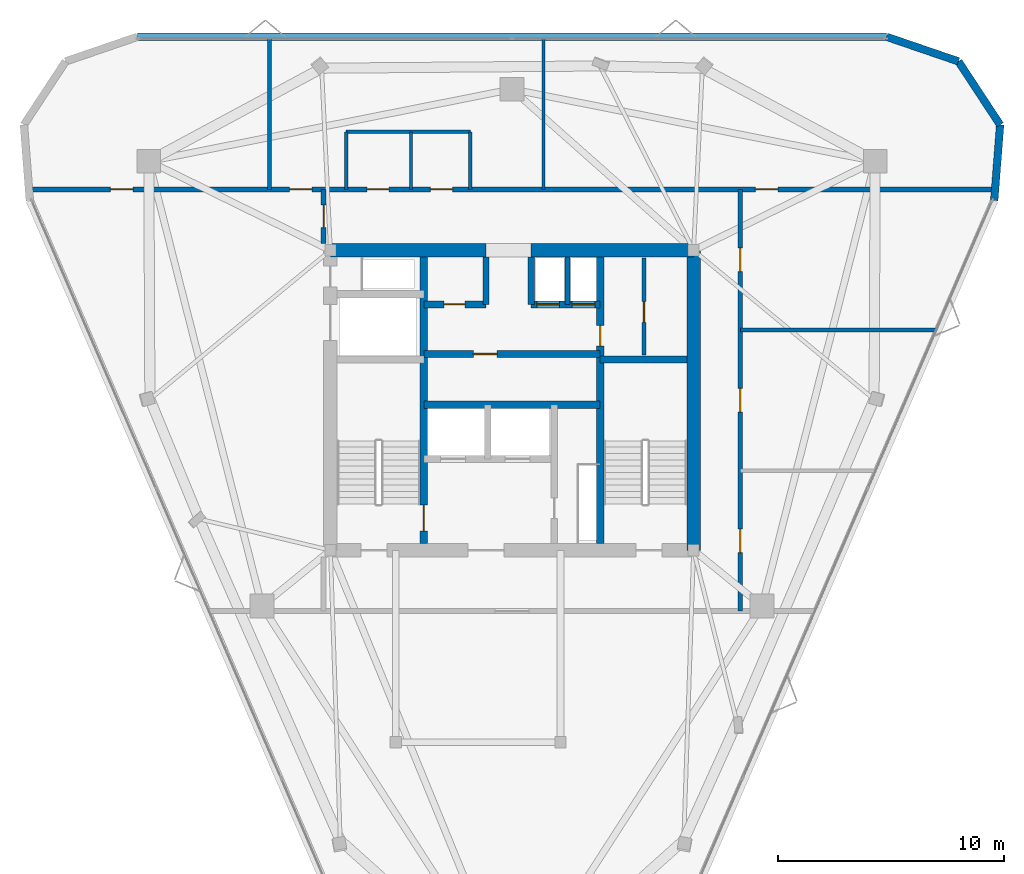
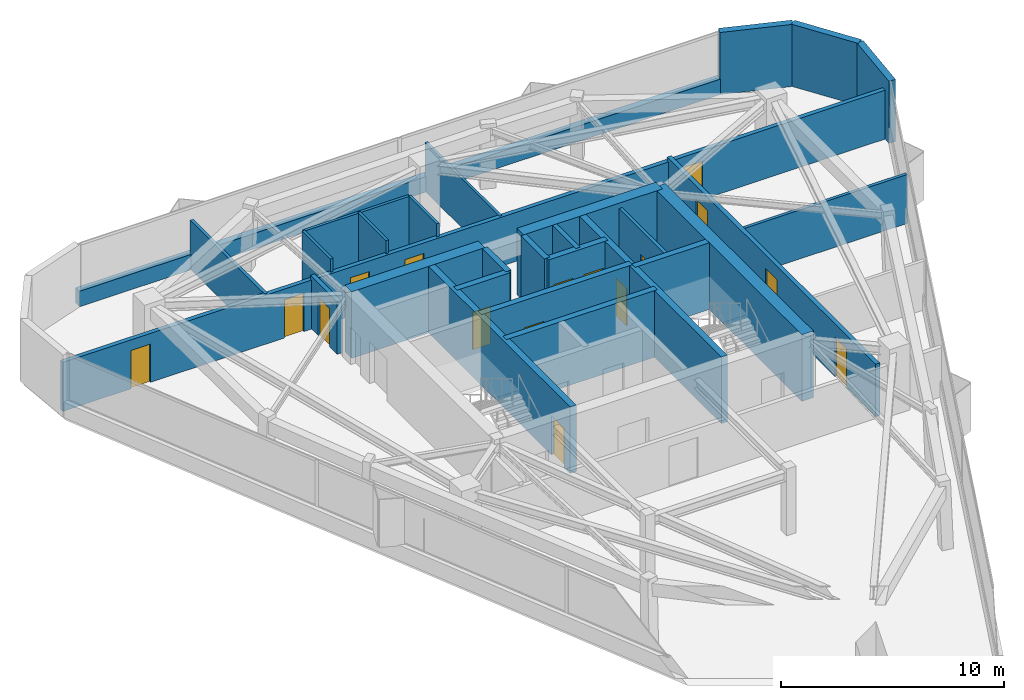
# One storey, part 8 of 10: 28 walls, 16 doors, 16 openings.
"""IFC4 building model written with IfcOpenShell, lengths in metres."""

from ifc_helpers import new_model, si_unit, direction, frame, frame_2d, origin, place, context, subcontext, project, spatial, rectangle, extrude, material, layer, layer_set, type_object, element, fill, save


model = new_model("IFC4")

# Units and contexts
model_context = context("Model", 3, precision=1e-05, world=origin(), true_north=direction((0.0, 1.0)))
body_context = subcontext(model_context, "Body", "Model", "MODEL_VIEW")
ifc_project = project(units=[si_unit("LENGTHUNIT", "METRE"), si_unit("AREAUNIT", "SQUARE_METRE"), si_unit("VOLUMEUNIT", "CUBIC_METRE"), si_unit("PLANEANGLEUNIT", "RADIAN"), si_unit("MASSUNIT", "GRAM", prefix="KILO")], contexts=[model_context])

# Site, building, storey
site_placement = place(None, origin())
site = spatial("IfcSite", under=ifc_project, at=site_placement, CompositionType="ELEMENT")
building_placement = place(site_placement, origin())
building = spatial("IfcBuilding", under=site, at=building_placement, Name="Talyreon Biosciences Tower", CompositionType="ELEMENT")
storey_placement = place(building_placement, frame((0.0, 0.0, 287.449951171875)))
storey = spatial("IfcBuildingStorey", under=building, at=storey_placement, Name="L76", CompositionType="ELEMENT", Elevation=287.449951171875)

# Walls
ifc_material_1 = material(Name="Concrete C50/60", Category="concrete")
ifc_layer_1 = layer(ifc_material_1, 0.219970703125)
ifc_layer_set_1 = layer_set([ifc_layer_1], Name="Concrete C50/60")
wall_type_1 = type_object("IfcWallType", Name="CoreShearWall_220", PredefinedType="SHEAR", material=ifc_layer_set_1)
wall_1_placement = place(storey_placement, frame((68.4599609375, 72.25, 0.0), z_axis=(0.0, 0.0, 1.0), x_axis=(0.0, 1.0, 0.0)))
element("IfcWall", 1, at=wall_1_placement, inside=storey, type_object=wall_type_1, Name="L76 Core Shaft Wall SWPHD", PredefinedType="SHEAR", context=body_context, shape_type="SweptSolid", body=[
    extrude(rectangle(XDim=2.10009765625, YDim=0.219970703125, at=frame_2d((1.050048828125, 0.0))), origin(), (0.0, 0.0, 1.0), 3.650146484375),
])
ifc_layer_2 = layer(ifc_material_1, 0.280029296875)
ifc_layer_set_2 = layer_set([ifc_layer_2], Name="Concrete C50/60")
wall_type_2 = type_object("IfcWallType", Name="CoreShearWall_280", PredefinedType="SHEAR", material=ifc_layer_set_2)
for number, where, z_axis, x_axis, name in (
    (2, (64.85009765625, 72.25, 0.0), (0.0, 0.0, 1.0), (0.0, 1.0, 0.0), "L76 Core Shaft Wall SWTHW"),
    (3, (66.85009765625, 72.25, 0.0), (0.0, 0.0, 1.0), (0.0, 1.0, 0.0), "L76 Core Shaft Wall SWTHE"),
):
    element("IfcWall", number, at=place(storey_placement, frame(where, z_axis=z_axis, x_axis=x_axis)), inside=storey, type_object=wall_type_2, Name=name, PredefinedType="SHEAR", context=body_context, shape_type="SweptSolid", body=[
        extrude(rectangle(XDim=2.10009765625, YDim=0.280029296875, at=frame_2d((1.050048828125, 0.0))), origin(), (0.0, 0.0, 1.0), 3.650146484375),
    ])

# Wall, opening, door
ifc_layer_3 = layer(ifc_material_1, 0.320068359375)
ifc_layer_set_3 = layer_set([ifc_layer_3], Name="Concrete C50/60")
wall_type_3 = type_object("IfcWallType", Name="CoreShearWall_320", PredefinedType="SHEAR", material=ifc_layer_set_3)
wall_2_placement = place(storey_placement, frame((62.090087890625, 61.64990234375, 0.0), z_axis=(0.0, 0.0, 1.0), x_axis=(0.0, 1.0, 0.0)))
wall_2 = element("IfcWall", 4, at=wall_2_placement, inside=storey, type_object=wall_type_3, Name="L76 Core Shaft Wall SW1E", PredefinedType="SHEAR", context=body_context, shape_type="SweptSolid", body=[
    extrude(rectangle(XDim=12.7001953125, YDim=0.320068359375, at=frame_2d((6.35009765625, 0.0))), origin(), (0.0, 0.0, 1.0), 3.650146484375),
])
opening_1_placement = place(wall_2_placement, frame((0.550048828125, 0.0, 0.0)))
opening_1 = element("IfcOpeningElement", 5, at=opening_1_placement, cuts=wall_2, Name="Opening DR-L76-FF-ST1", PredefinedType="OPENING", context=body_context, shape_type="SweptSolid", body=[
    extrude(rectangle(XDim=1.14990234375, YDim=2.14990234375, at=frame_2d((0.574951171875, 1.074951171875))), frame((0.0, 0.169921875, 0.0), z_axis=(0.0, -1.0, 0.0), x_axis=(1.0, 0.0, 0.0)), (0.0, 0.0, 1.0), 0.340087890625),
])
ifc_material_2 = material(Name="Painted steel fire door", Category="steel")
door_type_1 = type_object("IfcDoorType", Name="StairShaftFireDoor_1150x2150", OperationType="NOTDEFINED", PredefinedType="DOOR", material=ifc_material_2)
door_1_placement = place(opening_1_placement, origin())
door_1 = element("IfcDoor", 6, at=door_1_placement, inside=storey, type_object=door_type_1, Name="L76 Core Door DR-L76-FF-ST1", OperationType="SINGLE_SWING_LEFT", OverallHeight=2.14990234375, OverallWidth=1.14990234375, PredefinedType="DOOR", context=body_context, shape_type="SweptSolid", body=[
    extrude(rectangle(XDim=1.14990234375, YDim=2.14990234375, at=frame_2d((0.574951171875, 1.074951171875))), frame((0.0, 0.02490234375, 0.0), z_axis=(0.0, -1.0, 0.0), x_axis=(1.0, 0.0, 0.0)), (0.0, 0.0, 1.0), 0.050048828125),
])
fill(opening_1, door_1)

wall_3_placement = place(storey_placement, frame((69.909912109375, 61.64990234375, 0.0), z_axis=(0.0, 0.0, 1.0), x_axis=(0.0, 1.0, 0.0)))
wall_3 = element("IfcWall", 7, at=wall_3_placement, inside=storey, type_object=wall_type_3, Name="L76 Core Shaft Wall SW2W", PredefinedType="SHEAR", context=body_context, shape_type="SweptSolid", body=[
    extrude(rectangle(XDim=12.7001953125, YDim=0.320068359375, at=frame_2d((6.35009765625, 0.0))), origin(), (0.0, 0.0, 1.0), 3.650146484375),
])
opening_2_placement = place(wall_3_placement, frame((8.75, 0.0, 0.0)))
opening_2 = element("IfcOpeningElement", 8, at=opening_2_placement, cuts=wall_3, Name="Opening DR-L76-CSRV", PredefinedType="OPENING", context=body_context, shape_type="SweptSolid", body=[
    extrude(rectangle(XDim=0.919921875, YDim=2.050048828125, at=frame_2d((0.4599609375, 1.02490234375))), frame((0.0, 0.169921875, 0.0), z_axis=(0.0, -1.0, 0.0), x_axis=(1.0, 0.0, 0.0)), (0.0, 0.0, 1.0), 0.340087890625),
])
ifc_material_3 = material(Name="Painted steel fire-rated riser door", Category="steel")
door_type_2 = type_object("IfcDoorType", Name="RiserPlantAccessDoor_920x2050", OperationType="NOTDEFINED", PredefinedType="DOOR", material=ifc_material_3)
door_2_placement = place(opening_2_placement, origin())
door_2 = element("IfcDoor", 9, at=door_2_placement, inside=storey, type_object=door_type_2, Name="L76 Core Door DR-L76-CSRV", OperationType="SINGLE_SWING_RIGHT", OverallHeight=2.050048828125, OverallWidth=0.919921875, PredefinedType="DOOR", context=body_context, shape_type="SweptSolid", body=[
    extrude(rectangle(XDim=0.919921875, YDim=2.050048828125, at=frame_2d((0.4599609375, 1.02490234375))), frame((0.0, 0.02490234375, 0.0), z_axis=(0.0, -1.0, 0.0), x_axis=(1.0, 0.0, 0.0)), (0.0, 0.0, 1.0), 0.050048828125),
])
fill(opening_2, door_2)

# Walls
wall_4_placement = place(storey_placement, frame((69.909912109375, 69.81005859375, 0.0), z_axis=(0.0, 0.0, 1.0), x_axis=(1.0, 0.0, 0.0)))
element("IfcWall", 10, at=wall_4_placement, inside=storey, type_object=wall_type_3, Name="L76 Core Shaft Wall SW2N", PredefinedType="SHEAR", context=body_context, shape_type="SweptSolid", body=[
    extrude(rectangle(XDim=3.840087890625, YDim=0.320068359375, at=frame_2d((1.919921875, 0.0))), origin(), (0.0, 0.0, 1.0), 3.650146484375),
])
wall_5_placement = place(storey_placement, frame((62.090087890625, 67.800048828125, 0.0), z_axis=(0.0, 0.0, 1.0), x_axis=(1.0, 0.0, 0.0)))
element("IfcWall", 11, at=wall_5_placement, inside=storey, type_object=wall_type_3, Name="L76 Core Shaft Wall SWSHM", PredefinedType="SHEAR", context=body_context, shape_type="SweptSolid", body=[
    extrude(rectangle(XDim=7.81982421875, YDim=0.320068359375, at=frame_2d((3.909912109375, 0.0))), origin(), (0.0, 0.0, 1.0), 3.650146484375),
])

# Wall, opening, door
wall_6_placement = place(storey_placement, frame((62.090087890625, 70.050048828125, 0.0), z_axis=(0.0, 0.0, 1.0), x_axis=(1.0, 0.0, 0.0)))
wall_6 = element("IfcWall", 12, at=wall_6_placement, inside=storey, type_object=wall_type_3, Name="L76 Core Shaft Wall SWSPN", PredefinedType="SHEAR", context=body_context, shape_type="SweptSolid", body=[
    extrude(rectangle(XDim=7.81982421875, YDim=0.320068359375, at=frame_2d((3.909912109375, 0.0))), origin(), (0.0, 0.0, 1.0), 3.650146484375),
])
opening_3_placement = place(wall_6_placement, frame((2.199951171875, 0.0, 0.0)))
opening_3 = element("IfcOpeningElement", 13, at=opening_3_placement, cuts=wall_6, Name="Opening DR-L76-PLPMFREE", PredefinedType="OPENING", context=body_context, shape_type="SweptSolid", body=[
    extrude(rectangle(XDim=1.050048828125, YDim=2.14990234375, at=frame_2d((0.52490234375, 1.074951171875))), frame((0.0, 0.169921875, 0.0), z_axis=(0.0, -1.0, 0.0), x_axis=(1.0, 0.0, 0.0)), (0.0, 0.0, 1.0), 0.340087890625),
])
ifc_material_4 = material(Name="Acoustic timber-core laboratory door", Category="wood")
door_type_3 = type_object("IfcDoorType", Name="DryLabSingleDoor_1050x2150", OperationType="NOTDEFINED", PredefinedType="DOOR", material=ifc_material_4)
door_3_placement = place(opening_3_placement, origin())
door_3 = element("IfcDoor", 14, at=door_3_placement, inside=storey, type_object=door_type_3, Name="L76 Core Door DR-L76-PLPMFREE", OperationType="SINGLE_SWING_LEFT", OverallHeight=2.14990234375, OverallWidth=1.050048828125, PredefinedType="DOOR", context=body_context, shape_type="SweptSolid", body=[
    extrude(rectangle(XDim=1.050048828125, YDim=2.14990234375, at=frame_2d((0.52490234375, 1.074951171875))), frame((0.0, 0.02490234375, 0.0), z_axis=(0.0, -1.0, 0.0), x_axis=(1.0, 0.0, 0.0)), (0.0, 0.0, 1.0), 0.050048828125),
])
fill(opening_3, door_3)

wall_7_placement = place(storey_placement, frame((62.090087890625, 72.25, 0.0), z_axis=(0.0, 0.0, 1.0), x_axis=(1.0, 0.0, 0.0)))
wall_7 = element("IfcWall", 15, at=wall_7_placement, inside=storey, type_object=wall_type_3, Name="L76 Core Shaft Wall SWNPW", PredefinedType="SHEAR", context=body_context, shape_type="SweptSolid", body=[
    extrude(rectangle(XDim=2.760009765625, YDim=0.320068359375, at=frame_2d((1.3798828125, 0.0))), origin(), (0.0, 0.0, 1.0), 3.650146484375),
])
opening_4_placement = place(wall_7_placement, frame((0.89990234375, 0.0, 0.0)))
opening_4 = element("IfcOpeningElement", 16, at=opening_4_placement, cuts=wall_7, Name="Opening DR-L76-PM2FREE", PredefinedType="OPENING", context=body_context, shape_type="SweptSolid", body=[
    extrude(rectangle(XDim=0.919921875, YDim=2.050048828125, at=frame_2d((0.4599609375, 1.02490234375))), frame((0.0, 0.169921875, 0.0), z_axis=(0.0, -1.0, 0.0), x_axis=(1.0, 0.0, 0.0)), (0.0, 0.0, 1.0), 0.340087890625),
])
door_4_placement = place(opening_4_placement, origin())
door_4 = element("IfcDoor", 17, at=door_4_placement, inside=storey, type_object=door_type_2, Name="L76 Core Door DR-L76-PM2FREE", OperationType="SINGLE_SWING_RIGHT", OverallHeight=2.050048828125, OverallWidth=0.919921875, PredefinedType="DOOR", context=body_context, shape_type="SweptSolid", body=[
    extrude(rectangle(XDim=0.919921875, YDim=2.050048828125, at=frame_2d((0.4599609375, 1.02490234375))), frame((0.0, 0.02490234375, 0.0), z_axis=(0.0, -1.0, 0.0), x_axis=(1.0, 0.0, 0.0)), (0.0, 0.0, 1.0), 0.050048828125),
])
fill(opening_4, door_4)

# Wall, openings, doors
wall_8_placement = place(storey_placement, frame((66.85009765625, 72.25, 0.0), z_axis=(0.0, 0.0, 1.0), x_axis=(1.0, 0.0, 0.0)))
wall_8 = element("IfcWall", 18, at=wall_8_placement, inside=storey, type_object=wall_type_3, Name="L76 Core Shaft Wall SWNPE", PredefinedType="SHEAR", context=body_context, shape_type="SweptSolid", body=[
    extrude(rectangle(XDim=3.059814453125, YDim=0.320068359375, at=frame_2d((1.52978515625, 0.0))), origin(), (0.0, 0.0, 1.0), 3.650146484375),
])
opening_5_placement = place(wall_8_placement, frame((0.25, 0.0, 0.0)))
opening_5 = element("IfcOpeningElement", 19, at=opening_5_placement, cuts=wall_8, Name="Opening LD-L76-PH1", PredefinedType="OPENING", context=body_context, shape_type="SweptSolid", body=[
    extrude(rectangle(XDim=1.0, YDim=2.199951171875, at=frame_2d((0.5, 1.10009765625))), frame((0.0, 0.169921875, 0.0), z_axis=(0.0, -1.0, 0.0), x_axis=(1.0, 0.0, 0.0)), (0.0, 0.0, 1.0), 0.340087890625),
])
opening_6_placement = place(wall_8_placement, frame((1.820068359375, 0.0, 0.0)))
opening_6 = element("IfcOpeningElement", 20, at=opening_6_placement, cuts=wall_8, Name="Opening LD-L76-PH2", PredefinedType="OPENING", context=body_context, shape_type="SweptSolid", body=[
    extrude(rectangle(XDim=1.0, YDim=2.199951171875, at=frame_2d((0.5, 1.10009765625))), frame((0.0, 0.169921875, 0.0), z_axis=(0.0, -1.0, 0.0), x_axis=(1.0, 0.0, 0.0)), (0.0, 0.0, 1.0), 0.340087890625),
])
ifc_material_5 = material(Name="Brushed stainless-steel lift landing door", Category="steel")
door_type_4 = type_object("IfcDoorType", Name="LiftSlidingLandingDoor_1100x2200", OperationType="SLIDING_TO_LEFT", PredefinedType="DOOR", material=ifc_material_5)
door_5_placement = place(opening_5_placement, origin())
door_5 = element("IfcDoor", 21, at=door_5_placement, inside=storey, type_object=door_type_4, Name="L76 Core Door LD-L76-PH1", OperationType="SLIDING_TO_LEFT", OverallHeight=2.199951171875, OverallWidth=1.0, PredefinedType="DOOR", context=body_context, shape_type="SweptSolid", body=[
    extrude(rectangle(XDim=1.0, YDim=2.199951171875, at=frame_2d((0.5, 1.10009765625))), frame((0.0, 0.02490234375, 0.0), z_axis=(0.0, -1.0, 0.0), x_axis=(1.0, 0.0, 0.0)), (0.0, 0.0, 1.0), 0.050048828125),
])
fill(opening_5, door_5)
door_6_placement = place(opening_6_placement, origin())
door_6 = element("IfcDoor", 22, at=door_6_placement, inside=storey, type_object=door_type_4, Name="L76 Core Door LD-L76-PH2", OperationType="SLIDING_TO_LEFT", OverallHeight=2.199951171875, OverallWidth=1.0, PredefinedType="DOOR", context=body_context, shape_type="SweptSolid", body=[
    extrude(rectangle(XDim=1.0, YDim=2.199951171875, at=frame_2d((0.5, 1.10009765625))), frame((0.0, 0.02490234375, 0.0), z_axis=(0.0, -1.0, 0.0), x_axis=(1.0, 0.0, 0.0)), (0.0, 0.0, 1.0), 0.050048828125),
])
fill(opening_6, door_6)

# Walls
ifc_layer_4 = layer(ifc_material_1, 0.60009765625)
ifc_layer_set_4 = layer_set([ifc_layer_4], Name="Concrete C50/60")
wall_type_4 = type_object("IfcWallType", Name="CoreShearWall_600", PredefinedType="SHEAR", material=ifc_layer_set_4)
wall_9_placement = place(storey_placement, frame((74.050048828125, 61.35009765625, 0.0), z_axis=(0.0, 0.0, 1.0), x_axis=(0.0, 1.0, 0.0)))
element("IfcWall", 23, at=wall_9_placement, inside=storey, type_object=wall_type_4, Name="L76 Core Shear Wall E", PredefinedType="SHEAR", context=body_context, shape_type="SweptSolid", body=[
    extrude(rectangle(XDim=13.2998046875, YDim=0.60009765625, at=frame_2d((6.64990234375, 0.0))), origin(), (0.0, 0.0, 1.0), 3.650146484375),
])
wall_10_placement = place(storey_placement, frame((74.050048828125, 74.64990234375, 0.0), z_axis=(0.0, 0.0, 1.0), x_axis=(-1.0, 0.0, 0.0)))
element("IfcWall", 24, at=wall_10_placement, inside=storey, type_object=wall_type_4, Name="L76 Core Shear Wall NE", PredefinedType="SHEAR", context=body_context, shape_type="SweptSolid", body=[
    extrude(rectangle(XDim=7.199951171875, YDim=0.60009765625, at=frame_2d((3.60009765625, 0.0))), origin(), (0.0, 0.0, 1.0), 3.650146484375),
])
wall_11_placement = place(storey_placement, frame((64.85009765625, 74.64990234375, 0.0), z_axis=(0.0, 0.0, 1.0), x_axis=(-1.0, 0.0, 0.0)))
element("IfcWall", 25, at=wall_11_placement, inside=storey, type_object=wall_type_4, Name="L76 Core Shear Wall NW", PredefinedType="SHEAR", context=body_context, shape_type="SweptSolid", body=[
    extrude(rectangle(XDim=6.900146484375, YDim=0.60009765625, at=frame_2d((3.4501953125, 0.0))), origin(), (0.0, 0.0, 1.0), 3.650146484375),
])

# Wall, openings, doors
ifc_material_6 = material(Name="Gypsum fireboard acoustic stud", Category="gypsum")
ifc_layer_5 = layer(ifc_material_6, 0.219970703125)
ifc_layer_set_5 = layer_set([ifc_layer_5], Name="Gypsum fireboard acoustic stud")
wall_type_5 = type_object("IfcWallType", Name="CorridorRatedPartition_220", PredefinedType="PARTITIONING", material=ifc_layer_set_5)
wall_12_placement = place(storey_placement, frame((44.665283203125, 77.35009765625, 0.0), z_axis=(0.0, 0.0, 1.0), x_axis=(1.0, 0.0, 0.0)))
wall_12 = element("IfcWall", 26, at=wall_12_placement, inside=storey, type_object=wall_type_5, Name="L76 Interior Wall IW-L76-COR-N", PredefinedType="PARTITIONING", context=body_context, shape_type="SweptSolid", body=[
    extrude(rectangle(XDim=42.66943359375, YDim=0.219970703125, at=frame_2d((21.334716796875, 0.0))), origin(), (0.0, 0.0, 1.0), 2.679931640625),
])
opening_7_placement = place(wall_12_placement, frame((14.89501953125, 0.0, 0.0)))
opening_7 = element("IfcOpeningElement", 27, at=opening_7_placement, cuts=wall_12, Name="Opening DR-L76-WC", PredefinedType="OPENING", context=body_context, shape_type="SweptSolid", body=[
    extrude(rectangle(XDim=0.97998046875, YDim=2.10009765625, at=frame_2d((0.489990234375, 1.050048828125))), frame((0.0, 0.119873046875, 0.0), z_axis=(0.0, -1.0, 0.0), x_axis=(1.0, 0.0, 0.0)), (0.0, 0.0, 1.0), 0.239990234375),
])
opening_8_placement = place(wall_12_placement, frame((17.719970703125, 0.0, 0.0)))
opening_8 = element("IfcOpeningElement", 28, at=opening_8_placement, cuts=wall_12, Name="Opening DR-L76-AWC", PredefinedType="OPENING", context=body_context, shape_type="SweptSolid", body=[
    extrude(rectangle(XDim=0.97998046875, YDim=2.10009765625, at=frame_2d((0.489990234375, 1.050048828125))), frame((0.0, 0.119873046875, 0.0), z_axis=(0.0, -1.0, 0.0), x_axis=(1.0, 0.0, 0.0)), (0.0, 0.0, 1.0), 0.239990234375),
])
opening_9_placement = place(wall_12_placement, frame((3.532958984375, 0.0, 0.0)))
opening_9 = element("IfcOpeningElement", 29, at=opening_9_placement, cuts=wall_12, Name="Opening DR-L76-N1A", PredefinedType="OPENING", context=body_context, shape_type="SweptSolid", body=[
    extrude(rectangle(XDim=1.0, YDim=2.10009765625, at=frame_2d((0.5, 1.050048828125))), frame((0.0, 0.119873046875, 0.0), z_axis=(0.0, -1.0, 0.0), x_axis=(1.0, 0.0, 0.0)), (0.0, 0.0, 1.0), 0.239990234375),
])
opening_10_placement = place(wall_12_placement, frame((11.47802734375, 0.0, 0.0)))
opening_10 = element("IfcOpeningElement", 30, at=opening_10_placement, cuts=wall_12, Name="Opening DR-L76-N2A", PredefinedType="OPENING", context=body_context, shape_type="SweptSolid", body=[
    extrude(rectangle(XDim=1.0, YDim=2.10009765625, at=frame_2d((0.5, 1.050048828125))), frame((0.0, 0.119873046875, 0.0), z_axis=(0.0, -1.0, 0.0), x_axis=(1.0, 0.0, 0.0)), (0.0, 0.0, 1.0), 0.239990234375),
])
opening_11_placement = place(wall_12_placement, frame((32.126953125, 0.0, 0.0)))
opening_11 = element("IfcOpeningElement", 31, at=opening_11_placement, cuts=wall_12, Name="Opening DR-L76-N3A", PredefinedType="OPENING", context=body_context, shape_type="SweptSolid", body=[
    extrude(rectangle(XDim=1.0, YDim=2.10009765625, at=frame_2d((0.5, 1.050048828125))), frame((0.0, 0.119873046875, 0.0), z_axis=(0.0, -1.0, 0.0), x_axis=(1.0, 0.0, 0.0)), (0.0, 0.0, 1.0), 0.239990234375),
])
ifc_material_7 = material(Name="Laminate moisture-resistant door", Category="wood")
door_type_5 = type_object("IfcDoorType", Name="AccessibleToiletDoor_980x2100", OperationType="NOTDEFINED", PredefinedType="DOOR", material=ifc_material_7)
door_7_placement = place(opening_7_placement, origin())
door_7 = element("IfcDoor", 32, at=door_7_placement, inside=storey, type_object=door_type_5, Name="L76 Interior Door DR-L76-WC", OperationType="SINGLE_SWING_LEFT", OverallHeight=2.10009765625, OverallWidth=0.97998046875, PredefinedType="DOOR", context=body_context, shape_type="SweptSolid", body=[
    extrude(rectangle(XDim=0.97998046875, YDim=2.10009765625, at=frame_2d((0.489990234375, 1.050048828125))), frame((0.0, 0.02490234375, 0.0), z_axis=(0.0, -1.0, 0.0), x_axis=(1.0, 0.0, 0.0)), (0.0, 0.0, 1.0), 0.050048828125),
])
fill(opening_7, door_7)
door_8_placement = place(opening_8_placement, origin())
door_8 = element("IfcDoor", 33, at=door_8_placement, inside=storey, type_object=door_type_5, Name="L76 Interior Door DR-L76-AWC", OperationType="SINGLE_SWING_LEFT", OverallHeight=2.10009765625, OverallWidth=0.97998046875, PredefinedType="DOOR", context=body_context, shape_type="SweptSolid", body=[
    extrude(rectangle(XDim=0.97998046875, YDim=2.10009765625, at=frame_2d((0.489990234375, 1.050048828125))), frame((0.0, 0.02490234375, 0.0), z_axis=(0.0, -1.0, 0.0), x_axis=(1.0, 0.0, 0.0)), (0.0, 0.0, 1.0), 0.050048828125),
])
fill(opening_8, door_8)
ifc_material_8 = material(Name="Acoustic oak veneer office door", Category="wood")
door_type_6 = type_object("IfcDoorType", Name="WriteupOfficeDoor_1000x2100", OperationType="NOTDEFINED", PredefinedType="DOOR", material=ifc_material_8)
door_9_placement = place(opening_9_placement, origin())
door_9 = element("IfcDoor", 34, at=door_9_placement, inside=storey, type_object=door_type_6, Name="L76 Interior Door DR-L76-N1A", OperationType="SINGLE_SWING_RIGHT", OverallHeight=2.10009765625, OverallWidth=1.0, PredefinedType="DOOR", context=body_context, shape_type="SweptSolid", body=[
    extrude(rectangle(XDim=1.0, YDim=2.10009765625, at=frame_2d((0.5, 1.050048828125))), frame((0.0, 0.02490234375, 0.0), z_axis=(0.0, -1.0, 0.0), x_axis=(1.0, 0.0, 0.0)), (0.0, 0.0, 1.0), 0.050048828125),
])
fill(opening_9, door_9)
door_10_placement = place(opening_10_placement, origin())
door_10 = element("IfcDoor", 35, at=door_10_placement, inside=storey, type_object=door_type_6, Name="L76 Interior Door DR-L76-N2A", OperationType="SINGLE_SWING_LEFT", OverallHeight=2.10009765625, OverallWidth=1.0, PredefinedType="DOOR", context=body_context, shape_type="SweptSolid", body=[
    extrude(rectangle(XDim=1.0, YDim=2.10009765625, at=frame_2d((0.5, 1.050048828125))), frame((0.0, 0.02490234375, 0.0), z_axis=(0.0, -1.0, 0.0), x_axis=(1.0, 0.0, 0.0)), (0.0, 0.0, 1.0), 0.050048828125),
])
fill(opening_10, door_10)
door_11_placement = place(opening_11_placement, origin())
door_11 = element("IfcDoor", 36, at=door_11_placement, inside=storey, type_object=door_type_6, Name="L76 Interior Door DR-L76-N3A", OperationType="SINGLE_SWING_RIGHT", OverallHeight=2.10009765625, OverallWidth=1.0, PredefinedType="DOOR", context=body_context, shape_type="SweptSolid", body=[
    extrude(rectangle(XDim=1.0, YDim=2.10009765625, at=frame_2d((0.5, 1.050048828125))), frame((0.0, 0.02490234375, 0.0), z_axis=(0.0, -1.0, 0.0), x_axis=(1.0, 0.0, 0.0)), (0.0, 0.0, 1.0), 0.050048828125),
])
fill(opening_11, door_11)

# Wall, opening, door
wall_13_placement = place(storey_placement, frame((57.64990234375, 74.949951171875, 0.0), z_axis=(0.0, 0.0, 1.0), x_axis=(0.0, 1.0, 0.0)))
wall_13 = element("IfcWall", 37, at=wall_13_placement, inside=storey, type_object=wall_type_5, Name="L76 Interior Wall IW-L76-WCAP-N", PredefinedType="PARTITIONING", context=body_context, shape_type="SweptSolid", body=[
    extrude(rectangle(XDim=2.400146484375, YDim=0.219970703125, at=frame_2d((1.2001953125, 0.0))), origin(), (0.0, 0.0, 1.0), 2.880126953125),
])
opening_12_placement = place(wall_13_placement, frame((0.699951171875, 0.0, 0.0)))
opening_12 = element("IfcOpeningElement", 38, at=opening_12_placement, cuts=wall_13, Name="Opening DR-L76-W1A", PredefinedType="OPENING", context=body_context, shape_type="SweptSolid", body=[
    extrude(rectangle(XDim=1.0, YDim=2.10009765625, at=frame_2d((0.5, 1.050048828125))), frame((0.0, 0.119873046875, 0.0), z_axis=(0.0, -1.0, 0.0), x_axis=(1.0, 0.0, 0.0)), (0.0, 0.0, 1.0), 0.239990234375),
])
door_12_placement = place(opening_12_placement, origin())
door_12 = element("IfcDoor", 39, at=door_12_placement, inside=storey, type_object=door_type_6, Name="L76 Interior Door DR-L76-W1A", OperationType="SINGLE_SWING_RIGHT", OverallHeight=2.10009765625, OverallWidth=1.0, PredefinedType="DOOR", context=body_context, shape_type="SweptSolid", body=[
    extrude(rectangle(XDim=1.0, YDim=2.10009765625, at=frame_2d((0.5, 1.050048828125))), frame((0.0, 0.02490234375, 0.0), z_axis=(0.0, -1.0, 0.0), x_axis=(1.0, 0.0, 0.0)), (0.0, 0.0, 1.0), 0.050048828125),
])
fill(opening_12, door_12)

# Wall, openings, doors
wall_14_placement = place(storey_placement, frame((76.1201171875, 58.64990234375, 0.0), z_axis=(0.0, 0.0, 1.0), x_axis=(0.0, 1.0, 0.0)))
wall_14 = element("IfcWall", 40, at=wall_14_placement, inside=storey, type_object=wall_type_5, Name="L76 Interior Wall IW-L76-COR-E", PredefinedType="PARTITIONING", context=body_context, shape_type="SweptSolid", body=[
    extrude(rectangle(XDim=18.7001953125, YDim=0.219970703125, at=frame_2d((9.35009765625, 0.0))), origin(), (0.0, 0.0, 1.0), 2.880126953125),
])
opening_13_placement = place(wall_14_placement, frame((2.591064453125, 0.0, 0.0)))
opening_13 = element("IfcOpeningElement", 41, at=opening_13_placement, cuts=wall_14, Name="Opening DR-L76-E1A", PredefinedType="OPENING", context=body_context, shape_type="SweptSolid", body=[
    extrude(rectangle(XDim=1.050048828125, YDim=2.14990234375, at=frame_2d((0.52490234375, 1.074951171875))), frame((0.0, 0.119873046875, 0.0), z_axis=(0.0, -1.0, 0.0), x_axis=(1.0, 0.0, 0.0)), (0.0, 0.0, 1.0), 0.239990234375),
])
opening_14_placement = place(wall_14_placement, frame((8.824951171875, 0.0, 0.0)))
opening_14 = element("IfcOpeningElement", 42, at=opening_14_placement, cuts=wall_14, Name="Opening DR-L76-E2A", PredefinedType="OPENING", context=body_context, shape_type="SweptSolid", body=[
    extrude(rectangle(XDim=1.050048828125, YDim=2.14990234375, at=frame_2d((0.52490234375, 1.074951171875))), frame((0.0, 0.119873046875, 0.0), z_axis=(0.0, -1.0, 0.0), x_axis=(1.0, 0.0, 0.0)), (0.0, 0.0, 1.0), 0.239990234375),
])
opening_15_placement = place(wall_14_placement, frame((15.05908203125, 0.0, 0.0)))
opening_15 = element("IfcOpeningElement", 43, at=opening_15_placement, cuts=wall_14, Name="Opening DR-L76-E3A", PredefinedType="OPENING", context=body_context, shape_type="SweptSolid", body=[
    extrude(rectangle(XDim=1.050048828125, YDim=2.14990234375, at=frame_2d((0.52490234375, 1.074951171875))), frame((0.0, 0.119873046875, 0.0), z_axis=(0.0, -1.0, 0.0), x_axis=(1.0, 0.0, 0.0)), (0.0, 0.0, 1.0), 0.239990234375),
])
door_13_placement = place(opening_13_placement, origin())
door_13 = element("IfcDoor", 44, at=door_13_placement, inside=storey, type_object=door_type_3, Name="L76 Interior Door DR-L76-E1A", OperationType="SINGLE_SWING_LEFT", OverallHeight=2.14990234375, OverallWidth=1.050048828125, PredefinedType="DOOR", context=body_context, shape_type="SweptSolid", body=[
    extrude(rectangle(XDim=1.050048828125, YDim=2.14990234375, at=frame_2d((0.52490234375, 1.074951171875))), frame((0.0, 0.02490234375, 0.0), z_axis=(0.0, -1.0, 0.0), x_axis=(1.0, 0.0, 0.0)), (0.0, 0.0, 1.0), 0.050048828125),
])
fill(opening_13, door_13)
door_14_placement = place(opening_14_placement, origin())
door_14 = element("IfcDoor", 45, at=door_14_placement, inside=storey, type_object=door_type_3, Name="L76 Interior Door DR-L76-E2A", OperationType="SINGLE_SWING_RIGHT", OverallHeight=2.14990234375, OverallWidth=1.050048828125, PredefinedType="DOOR", context=body_context, shape_type="SweptSolid", body=[
    extrude(rectangle(XDim=1.050048828125, YDim=2.14990234375, at=frame_2d((0.52490234375, 1.074951171875))), frame((0.0, 0.02490234375, 0.0), z_axis=(0.0, -1.0, 0.0), x_axis=(1.0, 0.0, 0.0)), (0.0, 0.0, 1.0), 0.050048828125),
])
fill(opening_14, door_14)
door_15_placement = place(opening_15_placement, origin())
door_15 = element("IfcDoor", 46, at=door_15_placement, inside=storey, type_object=door_type_3, Name="L76 Interior Door DR-L76-E3A", OperationType="SINGLE_SWING_RIGHT", OverallHeight=2.14990234375, OverallWidth=1.050048828125, PredefinedType="DOOR", context=body_context, shape_type="SweptSolid", body=[
    extrude(rectangle(XDim=1.050048828125, YDim=2.14990234375, at=frame_2d((0.52490234375, 1.074951171875))), frame((0.0, 0.02490234375, 0.0), z_axis=(0.0, -1.0, 0.0), x_axis=(1.0, 0.0, 0.0)), (0.0, 0.0, 1.0), 0.050048828125),
])
fill(opening_15, door_15)

# Wall, opening, door
ifc_material_9 = material(Name="Gypsum acoustic stud partition", Category="gypsum")
ifc_layer_6 = layer(ifc_material_9, 0.159912109375)
ifc_layer_set_6 = layer_set([ifc_layer_6], Name="Gypsum acoustic stud partition")
wall_type_6 = type_object("IfcWallType", Name="LabSeparationPartition_160", PredefinedType="PARTITIONING", material=ifc_layer_set_6)
wall_15_placement = place(storey_placement, frame((71.85009765625, 70.0, 0.0), z_axis=(0.0, 0.0, 1.0), x_axis=(0.0, 1.0, 0.0)))
wall_15 = element("IfcWall", 47, at=wall_15_placement, inside=storey, type_object=wall_type_6, Name="L76 Interior Wall IW-L76-CSRV-V", PredefinedType="PARTITIONING", context=body_context, shape_type="SweptSolid", body=[
    extrude(rectangle(XDim=4.300048828125, YDim=0.159912109375, at=frame_2d((2.14990234375, 0.0))), origin(), (0.0, 0.0, 1.0), 3.400146484375),
])
opening_16_placement = place(wall_15_placement, frame((1.449951171875, 0.0, 0.0)))
opening_16 = element("IfcOpeningElement", 48, at=opening_16_placement, cuts=wall_15, Name="Opening DR-L76-CSRV-I", PredefinedType="OPENING", context=body_context, shape_type="SweptSolid", body=[
    extrude(rectangle(XDim=0.919921875, YDim=2.050048828125, at=frame_2d((0.4599609375, 1.02490234375))), frame((0.0, 0.08984375, 0.0), z_axis=(0.0, -1.0, 0.0), x_axis=(1.0, 0.0, 0.0)), (0.0, 0.0, 1.0), 0.179931640625),
])
door_16_placement = place(opening_16_placement, origin())
door_16 = element("IfcDoor", 49, at=door_16_placement, inside=storey, type_object=door_type_2, Name="L76 Interior Door DR-L76-CSRV-I", OperationType="SINGLE_SWING_RIGHT", OverallHeight=2.050048828125, OverallWidth=0.919921875, PredefinedType="DOOR", context=body_context, shape_type="SweptSolid", body=[
    extrude(rectangle(XDim=0.919921875, YDim=2.050048828125, at=frame_2d((0.4599609375, 1.02490234375))), frame((0.0, 0.02490234375, 0.0), z_axis=(0.0, -1.0, 0.0), x_axis=(1.0, 0.0, 0.0)), (0.0, 0.0, 1.0), 0.050048828125),
])
fill(opening_16, door_16)

# Walls
wall_16_placement = place(storey_placement, frame((55.25, 77.35009765625, 0.0), z_axis=(0.0, 0.0, 1.0), x_axis=(0.0, 1.0, 0.0)))
element("IfcWall", 50, at=wall_16_placement, inside=storey, type_object=wall_type_6, Name="L76 Interior Wall IW-L76-NDIV1", PredefinedType="PARTITIONING", context=body_context, shape_type="SweptSolid", body=[
    extrude(rectangle(XDim=6.68212890625, YDim=0.159912109375, at=frame_2d((3.341064453125, 0.0))), origin(), (0.0, 0.0, 1.0), 2.679931640625),
])
wall_17_placement = place(storey_placement, frame((76.1201171875, 71.116943359375, 0.0), z_axis=(0.0, 0.0, 1.0), x_axis=(1.0, 0.0, 0.0)))
element("IfcWall", 51, at=wall_17_placement, inside=storey, type_object=wall_type_6, Name="L76 Interior Wall IW-L76-EDIV2", PredefinedType="PARTITIONING", context=body_context, shape_type="SweptSolid", body=[
    extrude(rectangle(XDim=8.690185546875, YDim=0.159912109375, at=frame_2d((4.34521484375, 0.0))), origin(), (0.0, 0.0, 1.0), 2.679931640625),
])
ifc_layer_7 = layer(ifc_material_9, 0.1298828125)
ifc_layer_set_7 = layer_set([ifc_layer_7], Name="Gypsum acoustic stud partition")
wall_type_7 = type_object("IfcWallType", Name="OfficeWriteupPartition_130", PredefinedType="PARTITIONING", material=ifc_layer_set_7)
wall_18_placement = place(storey_placement, frame((67.39990234375, 77.35009765625, 0.0), z_axis=(0.0, 0.0, 1.0), x_axis=(0.0, 1.0, 0.0)))
element("IfcWall", 52, at=wall_18_placement, inside=storey, type_object=wall_type_7, Name="L76 Interior Wall IW-L76-NDIV2", PredefinedType="PARTITIONING", context=body_context, shape_type="SweptSolid", body=[
    extrude(rectangle(XDim=6.68212890625, YDim=0.1298828125, at=frame_2d((3.341064453125, 0.0))), origin(), (0.0, 0.0, 1.0), 2.679931640625),
])
ifc_material_10 = material(Name="Precast concrete C45/55", Category="concrete")
ifc_layer_8 = layer(ifc_material_10, 0.340087890625)
ifc_layer_set_8 = layer_set([ifc_layer_8], Name="Precast concrete C45/55")
wall_type_8 = type_object("IfcWallType", Name="PrecastConcreteSpandrelWall_340", PredefinedType="STANDARD", material=ifc_layer_set_8)
wall_19_placement = place(storey_placement, frame((49.392333984375, 84.1171875, 0.0), z_axis=(0.0, 0.0, 1.0), x_axis=(1.0, 0.0, 0.0)))
element("IfcWall", 53, at=wall_19_placement, inside=storey, type_object=wall_type_8, Name="L76 Expressed Concrete Sill Wall 04", PredefinedType="STANDARD", context=body_context, shape_type="SweptSolid", body=[
    extrude(rectangle(XDim=33.21533203125, YDim=0.340087890625, at=frame_2d((16.607666015625, 0.0))), origin(), (0.0, 0.0, 1.0), 0.85009765625),
])
for number, where, z_axis, x_axis, name in (
    (54, (82.607666015625, 84.1171875, 0.0), (0.0, 0.0, 1.0), (0.946137689322, -0.323764533025, 0.0), "L76 Rounded-Corner Concrete Pier 05"),
    (55, (85.7939453125, 83.02685546875, 0.0), (0.0, 0.0, 1.0), (0.549284928187, -0.835635128311, 0.0), "L76 Rounded-Corner Concrete Pier 06"),
    (56, (87.643798828125, 80.212646484375, 0.0), (0.0, 0.0, 1.0), (-0.077932702053, -0.996958621985, 0.0), "L76 Rounded-Corner Concrete Pier 07"),
):
    element("IfcWall", number, at=place(storey_placement, frame(where, z_axis=z_axis, x_axis=x_axis)), inside=storey, type_object=wall_type_8, Name=name, PredefinedType="STANDARD", context=body_context, shape_type="SweptSolid", body=[
        extrude(rectangle(XDim=3.36767578125, YDim=0.340087890625, at=frame_2d((1.683837890625, 0.0))), origin(), (0.0, 0.0, 1.0), 3.400146484375),
    ])
ifc_material_11 = material(Name="Moisture-resistant cement-board stud", Category="gypsum")
ifc_layer_9 = layer(ifc_material_11, 0.14501953125)
ifc_layer_set_9 = layer_set([ifc_layer_9], Name="Moisture-resistant cement-board stud")
wall_type_9 = type_object("IfcWallType", Name="WetRoomPartition_145", PredefinedType="PARTITIONING", material=ifc_layer_set_9)
for number, where, z_axis, x_axis, name in (
    (57, (58.64990234375, 77.35009765625, 0.0), (0.0, 0.0, 1.0), (0.0, 1.0, 0.0), "L76 Interior Wall IW-L76-WCL"),
    (58, (61.52490234375, 77.35009765625, 0.0), (0.0, 0.0, 1.0), (0.0, 1.0, 0.0), "L76 Interior Wall IW-L76-WCM"),
    (59, (64.14990234375, 77.35009765625, 0.0), (0.0, 0.0, 1.0), (0.0, 1.0, 0.0), "L76 Interior Wall IW-L76-WCR"),
):
    element("IfcWall", number, at=place(storey_placement, frame(where, z_axis=z_axis, x_axis=x_axis)), inside=storey, type_object=wall_type_9, Name=name, PredefinedType="PARTITIONING", context=body_context, shape_type="SweptSolid", body=[
        extrude(rectangle(XDim=2.5498046875, YDim=0.14501953125, at=frame_2d((1.27490234375, 0.0))), origin(), (0.0, 0.0, 1.0), 3.400146484375),
    ])
wall_20_placement = place(storey_placement, frame((58.64990234375, 79.89990234375, 0.0), z_axis=(0.0, 0.0, 1.0), x_axis=(1.0, 0.0, 0.0)))
element("IfcWall", 60, at=wall_20_placement, inside=storey, type_object=wall_type_9, Name="L76 Interior Wall IW-L76-WCT", PredefinedType="PARTITIONING", context=body_context, shape_type="SweptSolid", body=[
    extrude(rectangle(XDim=5.5, YDim=0.14501953125, at=frame_2d((2.75, 0.0))), origin(), (0.0, 0.0, 1.0), 3.400146484375),
])

save(model, "model.ifc")
